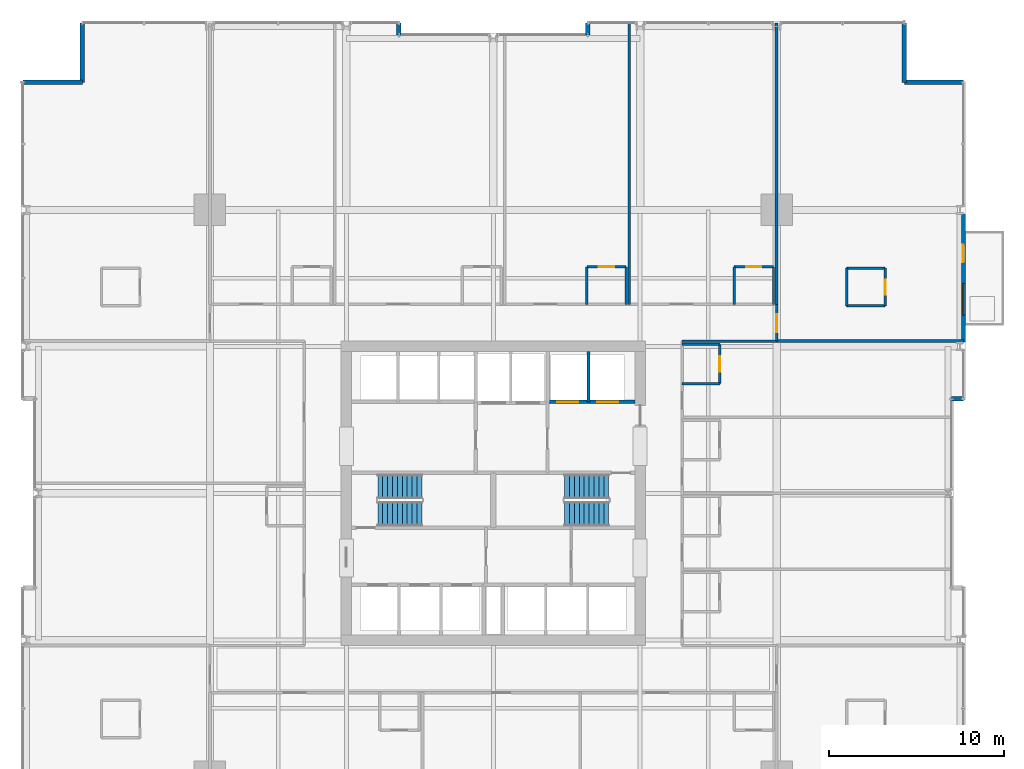
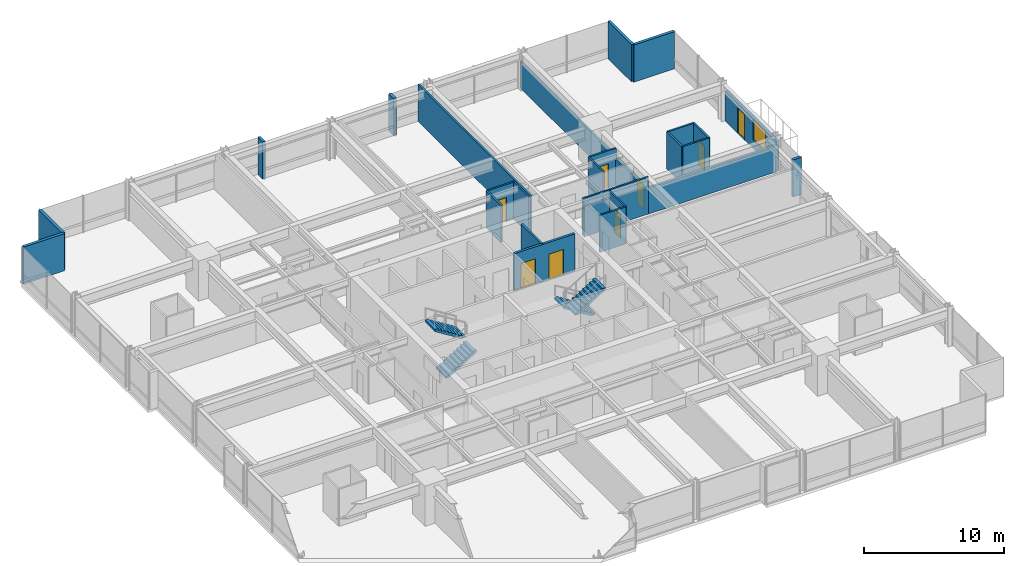
# One storey, part 33 of 38: 28 walls, 8 doors, 4 stair flights, 1 window, 9 openings, 2 elements without a shape of their own.
"""IFC4 building model written with IfcOpenShell, lengths in metres."""

from ifc_helpers import new_model, si_unit, direction, frame, frame_2d, origin, place, context, subcontext, project, spatial, polyline, rectangle, outline, extrude, material, layer, layer_set, type_object, element, fill, aggregate, save


model = new_model("IFC4")

# Units and contexts
model_context = context("Model", 3, precision=1e-05, world=origin(), true_north=direction((0.0, 1.0)))
body_context = subcontext(model_context, "Body", "Model", "MODEL_VIEW")
ifc_project = project(units=[si_unit("LENGTHUNIT", "METRE"), si_unit("AREAUNIT", "SQUARE_METRE"), si_unit("VOLUMEUNIT", "CUBIC_METRE"), si_unit("PLANEANGLEUNIT", "RADIAN"), si_unit("MASSUNIT", "GRAM", prefix="KILO")], contexts=[model_context])

# Site, building, storey
site_placement = place(None, origin())
site = spatial("IfcSite", under=ifc_project, at=site_placement, CompositionType="ELEMENT")
building_placement = place(site_placement, origin())
building = spatial("IfcBuilding", under=site, at=building_placement, Name="Drelvath Grand Hotel", CompositionType="ELEMENT")
storey_placement = place(building_placement, frame((0.0, 0.0, 47.199951171875)))
storey = spatial("IfcBuildingStorey", under=building, at=storey_placement, Name="L10", CompositionType="ELEMENT", Elevation=47.199951171875)

# Wall, openings, doors
ifc_material_1 = material(Name="Concrete C40/50", Category="concrete")
ifc_layer_1 = layer(ifc_material_1, 0.199951171875)
ifc_layer_set_1 = layer_set([ifc_layer_1], Name="Concrete C40/50")
wall_type_1 = type_object("IfcWallType", Name="Core Hoistway Fire Wall 200", PredefinedType="SOLIDWALL", material=ifc_layer_set_1)
wall_1_placement = place(storey_placement, frame((3.10009765625, 32.219970703125, 0.0), z_axis=(0.0, 0.0, 1.0), x_axis=(1.0, 0.0, 0.0)))
wall_1 = element("IfcWall", 1, at=wall_1_placement, inside=storey, type_object=wall_type_1, Name="L10 FSAE Hoistway Front Wall", PredefinedType="SOLIDWALL", context=body_context, shape_type="SweptSolid", body=[
    extrude(rectangle(XDim=5.0, YDim=0.199951171875, at=frame_2d((2.5, 0.0))), origin(), (0.0, 0.0, 1.0), 3.239990234375),
])
opening_1_placement = place(wall_1_placement, frame((0.550048828125, 0.0, 0.0)))
opening_1 = element("IfcOpeningElement", 2, at=opening_1_placement, cuts=wall_1, Name="Opening LD-FSAE-1", PredefinedType="OPENING", context=body_context, shape_type="SweptSolid", body=[
    extrude(rectangle(XDim=1.199951171875, YDim=2.199951171875, at=frame_2d((0.60009765625, 1.10009765625))), frame((0.0, 0.10986328125, 0.0), z_axis=(0.0, -1.0, 0.0), x_axis=(1.0, 0.0, 0.0)), (0.0, 0.0, 1.0), 0.219970703125),
])
opening_2_placement = place(wall_1_placement, frame((2.85009765625, 0.0, 0.0)))
opening_2 = element("IfcOpeningElement", 3, at=opening_2_placement, cuts=wall_1, Name="Opening LD-FSAE-2", PredefinedType="OPENING", context=body_context, shape_type="SweptSolid", body=[
    extrude(rectangle(XDim=1.199951171875, YDim=2.199951171875, at=frame_2d((0.60009765625, 1.10009765625))), frame((0.0, 0.10986328125, 0.0), z_axis=(0.0, -1.0, 0.0), x_axis=(1.0, 0.0, 0.0)), (0.0, 0.0, 1.0), 0.219970703125),
])
ifc_material_2 = material(Name="Stainless Steel S355", Category="steel")
door_type_1 = type_object("IfcDoorType", Name="FSAE Lift Sliding Landing Door 1200x2200", OperationType="NOTDEFINED", PredefinedType="DOOR", material=ifc_material_2)
door_1_placement = place(opening_1_placement, origin())
door_1 = element("IfcDoor", 4, at=door_1_placement, inside=storey, type_object=door_type_1, Name="L10 Lift FSAE-1 Landing Door", OperationType="SLIDING_TO_LEFT", OverallHeight=2.199951171875, OverallWidth=1.199951171875, PredefinedType="DOOR", context=body_context, shape_type="SweptSolid", body=[
    extrude(rectangle(XDim=1.199951171875, YDim=2.199951171875, at=frame_2d((0.60009765625, 1.10009765625))), frame((0.0, 0.02490234375, 0.0), z_axis=(0.0, -1.0, 0.0), x_axis=(1.0, 0.0, 0.0)), (0.0, 0.0, 1.0), 0.050048828125),
])
fill(opening_1, door_1)
door_2_placement = place(opening_2_placement, origin())
door_2 = element("IfcDoor", 5, at=door_2_placement, inside=storey, type_object=door_type_1, Name="L10 Lift FSAE-2 Landing Door", OperationType="SLIDING_TO_LEFT", OverallHeight=2.199951171875, OverallWidth=1.199951171875, PredefinedType="DOOR", context=body_context, shape_type="SweptSolid", body=[
    extrude(rectangle(XDim=1.199951171875, YDim=2.199951171875, at=frame_2d((0.60009765625, 1.10009765625))), frame((0.0, 0.02490234375, 0.0), z_axis=(0.0, -1.0, 0.0), x_axis=(1.0, 0.0, 0.0)), (0.0, 0.0, 1.0), 0.050048828125),
])
fill(opening_2, door_2)

# Walls
ifc_material_3 = material(Name="Gypsum Fireboard Partition")
ifc_layer_2 = layer(ifc_material_3, 0.1650390625)
ifc_layer_set_2 = layer_set([ifc_layer_2], Name="Gypsum Fireboard Partition")
wall_type_2 = type_object("IfcWallType", Name="Core Shaft Partition 165", PredefinedType="PARTITIONING", material=ifc_layer_set_2)
wall_2_placement = place(storey_placement, frame((5.449951171875, 32.219970703125, 0.0), z_axis=(0.0, 0.0, 1.0), x_axis=(0.0, 1.0, 0.0)))
element("IfcWall", 6, at=wall_2_placement, inside=storey, type_object=wall_type_2, Name="L10 FSAE Hoistway Divider", PredefinedType="PARTITIONING", context=body_context, shape_type="SweptSolid", body=[
    extrude(rectangle(XDim=2.880126953125, YDim=0.1650390625, at=frame_2d((1.43994140625, 0.0))), origin(), (0.0, 0.0, 1.0), 3.239990234375),
])
ifc_layer_3 = layer(ifc_material_3, 0.135009765625)
ifc_layer_set_3 = layer_set([ifc_layer_3], Name="Gypsum Fireboard Partition")
wall_type_3 = type_object("IfcWallType", Name="Corridor Fire Barrier Wall 135", PredefinedType="PARTITIONING", material=ifc_layer_set_3)
wall_3_placement = place(storey_placement, frame((10.800048828125, 35.699951171875, 0.0), z_axis=(0.0, 0.0, 1.0), x_axis=(1.0, 0.0, 0.0)))
element("IfcWall", 7, at=wall_3_placement, inside=storey, type_object=wall_type_3, Name="L10 NE Spur Inner Wall", PredefinedType="PARTITIONING", context=body_context, shape_type="SweptSolid", body=[
    extrude(rectangle(XDim=5.39990234375, YDim=0.135009765625, at=frame_2d((2.699951171875, 0.0))), origin(), (0.0, 0.0, 1.0), 3.239990234375),
])

# Wall, opening, door
wall_4_placement = place(storey_placement, frame((16.199951171875, 35.699951171875, 0.0), z_axis=(0.0, 0.0, 1.0), x_axis=(0.0, 1.0, 0.0)))
wall_4 = element("IfcWall", 8, at=wall_4_placement, inside=storey, type_object=wall_type_3, Name="L10 North Corridor East End", PredefinedType="PARTITIONING", context=body_context, shape_type="SweptSolid", body=[
    extrude(rectangle(XDim=2.10009765625, YDim=0.135009765625, at=frame_2d((1.050048828125, 0.0))), origin(), (0.0, 0.0, 1.0), 2.29833984375),
])
opening_3_placement = place(wall_4_placement, frame((0.52001953125, 0.0, 0.0)))
opening_3 = element("IfcOpeningElement", 9, at=opening_3_placement, cuts=wall_4, Name="Opening D-T1G2-023", PredefinedType="OPENING", context=body_context, shape_type="SweptSolid", body=[
    extrude(rectangle(XDim=1.02001953125, YDim=2.14990234375, at=frame_2d((0.510009765625, 1.074951171875))), frame((0.0, 0.077392578125, 0.0), z_axis=(0.0, -1.0, 0.0), x_axis=(1.0, 0.0, 0.0)), (0.0, 0.0, 1.0), 0.155029296875),
])
ifc_material_4 = material(Name="Hardwood Walnut Timber", Category="wood")
door_type_2 = type_object("IfcDoorType", Name="Amenity Meeting Fire Door 1020x2150", OperationType="NOTDEFINED", PredefinedType="DOOR", material=ifc_material_4)
door_3_placement = place(opening_3_placement, origin())
door_3 = element("IfcDoor", 10, at=door_3_placement, inside=storey, type_object=door_type_2, Name="L10 Corner Suite Entry Door", OperationType="SINGLE_SWING_RIGHT", OverallHeight=2.14990234375, OverallWidth=1.02001953125, PredefinedType="DOOR", context=body_context, shape_type="SweptSolid", body=[
    extrude(rectangle(XDim=1.02001953125, YDim=2.14990234375, at=frame_2d((0.510009765625, 1.074951171875))), frame((0.0, 0.02490234375, 0.0), z_axis=(0.0, -1.0, 0.0), x_axis=(1.0, 0.0, 0.0)), (0.0, 0.0, 1.0), 0.050048828125),
])
fill(opening_3, door_3)

# Walls
ifc_material_5 = material(Name="Moisture-Resistant Gypsum Board")
ifc_layer_4 = layer(ifc_material_5, 0.139892578125)
ifc_layer_set_4 = layer_set([ifc_layer_4], Name="Moisture-Resistant Gypsum Board")
wall_type_4 = type_object("IfcWallType", Name="En-Suite Plumbing Wall 140", PredefinedType="PLUMBINGWALL", material=ifc_layer_set_4)
for number, where, z_axis, x_axis, name in (
    (11, (20.199951171875, 37.719970703125, 0.0), (0.0, 0.0, 1.0), (1.0, 0.0, 0.0), "L10 Corner En-Suite South"),
    (12, (20.199951171875, 39.8701171875, 0.0), (0.0, 0.0, 1.0), (1.0, 0.0, 0.0), "L10 Corner En-Suite North"),
):
    element("IfcWall", number, at=place(storey_placement, frame(where, z_axis=z_axis, x_axis=x_axis)), inside=storey, type_object=wall_type_4, Name=name, PredefinedType="PLUMBINGWALL", context=body_context, shape_type="SweptSolid", body=[
        extrude(rectangle(XDim=2.199951171875, YDim=0.139892578125, at=frame_2d((1.10009765625, 0.0))), origin(), (0.0, 0.0, 1.0), 3.239990234375),
    ])
wall_5_placement = place(storey_placement, frame((20.199951171875, 37.719970703125, 0.0), z_axis=(0.0, 0.0, 1.0), x_axis=(0.0, 1.0, 0.0)))
element("IfcWall", 13, at=wall_5_placement, inside=storey, type_object=wall_type_4, Name="L10 Corner En-Suite West", PredefinedType="PLUMBINGWALL", context=body_context, shape_type="SweptSolid", body=[
    extrude(rectangle(XDim=2.150146484375, YDim=0.139892578125, at=frame_2d((1.0751953125, 0.0))), origin(), (0.0, 0.0, 1.0), 3.239990234375),
])

# Wall, opening, door
wall_6_placement = place(storey_placement, frame((22.39990234375, 37.719970703125, 0.0), z_axis=(0.0, 0.0, 1.0), x_axis=(0.0, 1.0, 0.0)))
wall_6 = element("IfcWall", 14, at=wall_6_placement, inside=storey, type_object=wall_type_4, Name="L10 Corner En-Suite East", PredefinedType="PLUMBINGWALL", context=body_context, shape_type="SweptSolid", body=[
    extrude(rectangle(XDim=2.150146484375, YDim=0.139892578125, at=frame_2d((1.0751953125, 0.0))), origin(), (0.0, 0.0, 1.0), 3.239990234375),
])
opening_4_placement = place(wall_6_placement, frame((0.6201171875, 0.0, 0.0)))
opening_4 = element("IfcOpeningElement", 15, at=opening_4_placement, cuts=wall_6, Name="Opening D-T1G2-022", PredefinedType="OPENING", context=body_context, shape_type="SweptSolid", body=[
    extrude(rectangle(XDim=0.8798828125, YDim=2.10009765625, at=frame_2d((0.43994140625, 1.050048828125))), frame((0.0, 0.079833984375, 0.0), z_axis=(0.0, -1.0, 0.0), x_axis=(1.0, 0.0, 0.0)), (0.0, 0.0, 1.0), 0.159912109375),
])
door_type_3 = type_object("IfcDoorType", Name="En-Suite Bathroom Door 880x2100", OperationType="NOTDEFINED", PredefinedType="DOOR", material=ifc_material_4)
door_4_placement = place(opening_4_placement, origin())
door_4 = element("IfcDoor", 16, at=door_4_placement, inside=storey, type_object=door_type_3, Name="L10 Corner En-Suite Door", OperationType="SINGLE_SWING_LEFT", OverallHeight=2.10009765625, OverallWidth=0.8798828125, PredefinedType="DOOR", context=body_context, shape_type="SweptSolid", body=[
    extrude(rectangle(XDim=0.8798828125, YDim=2.10009765625, at=frame_2d((0.43994140625, 1.050048828125))), frame((0.0, 0.02490234375, 0.0), z_axis=(0.0, -1.0, 0.0), x_axis=(1.0, 0.0, 0.0)), (0.0, 0.0, 1.0), 0.050048828125),
])
fill(opening_4, door_4)

# Walls
for number, where, z_axis, x_axis, name in (
    (17, (5.345947265625, 37.800048828125, 0.0), (0.0, 0.0, 1.0), (0.0, 1.0, 0.0), "L10 En-Suite Left Wall"),
    (18, (7.595947265625, 37.800048828125, 0.0), (0.0, 0.0, 1.0), (0.0, 1.0, 0.0), "L10 En-Suite Right Wall"),
):
    element("IfcWall", number, at=place(storey_placement, frame(where, z_axis=z_axis, x_axis=x_axis)), inside=storey, type_object=wall_type_4, Name=name, PredefinedType="PLUMBINGWALL", context=body_context, shape_type="SweptSolid", body=[
        extrude(rectangle(XDim=2.14990234375, YDim=0.139892578125, at=frame_2d((1.074951171875, 0.0))), origin(), (0.0, 0.0, 1.0), 3.239990234375),
    ])

# Wall, opening, door
wall_7_placement = place(storey_placement, frame((5.345947265625, 39.949951171875, 0.0), z_axis=(0.0, 0.0, 1.0), x_axis=(1.0, 0.0, 0.0)))
wall_7 = element("IfcWall", 19, at=wall_7_placement, inside=storey, type_object=wall_type_4, Name="L10 En-Suite Front Wall", PredefinedType="PLUMBINGWALL", context=body_context, shape_type="SweptSolid", body=[
    extrude(rectangle(XDim=2.25, YDim=0.139892578125, at=frame_2d((1.125, 0.0))), origin(), (0.0, 0.0, 1.0), 3.239990234375),
])
opening_5_placement = place(wall_7_placement, frame((0.68505859375, 0.0, 0.0)))
opening_5 = element("IfcOpeningElement", 20, at=opening_5_placement, cuts=wall_7, Name="Opening D-T1G2-033", PredefinedType="OPENING", context=body_context, shape_type="SweptSolid", body=[
    extrude(rectangle(XDim=0.8798828125, YDim=2.10009765625, at=frame_2d((0.43994140625, 1.050048828125))), frame((0.0, 0.079833984375, 0.0), z_axis=(0.0, -1.0, 0.0), x_axis=(1.0, 0.0, 0.0)), (0.0, 0.0, 1.0), 0.159912109375),
])
door_5_placement = place(opening_5_placement, origin())
door_5 = element("IfcDoor", 21, at=door_5_placement, inside=storey, type_object=door_type_3, Name="L10 En-Suite Bathroom Door", OperationType="SINGLE_SWING_RIGHT", OverallHeight=2.10009765625, OverallWidth=0.8798828125, PredefinedType="DOOR", context=body_context, shape_type="SweptSolid", body=[
    extrude(rectangle(XDim=0.8798828125, YDim=2.10009765625, at=frame_2d((0.43994140625, 1.050048828125))), frame((0.0, 0.02490234375, 0.0), z_axis=(0.0, -1.0, 0.0), x_axis=(1.0, 0.0, 0.0)), (0.0, 0.0, 1.0), 0.050048828125),
])
fill(opening_5, door_5)

# Walls
wall_8_placement = place(storey_placement, frame((13.77001953125, 37.800048828125, 0.0), z_axis=(0.0, 0.0, 1.0), x_axis=(0.0, 1.0, 0.0)))
element("IfcWall", 22, at=wall_8_placement, inside=storey, type_object=wall_type_4, Name="L10 En-Suite Left Wall", PredefinedType="PLUMBINGWALL", context=body_context, shape_type="SweptSolid", body=[
    extrude(rectangle(XDim=2.14990234375, YDim=0.139892578125, at=frame_2d((1.074951171875, 0.0))), origin(), (0.0, 0.0, 1.0), 3.239990234375),
])
wall_9_placement = place(storey_placement, frame((16.02001953125, 37.800048828125, 0.0), z_axis=(0.0, 0.0, 1.0), x_axis=(0.0, 1.0, 0.0)))
element("IfcWall", 23, at=wall_9_placement, inside=storey, type_object=wall_type_4, Name="L10 En-Suite Right Wall", PredefinedType="PLUMBINGWALL", context=body_context, shape_type="SweptSolid", body=[
    extrude(rectangle(XDim=2.14990234375, YDim=0.139892578125, at=frame_2d((1.074951171875, 0.0))), origin(), (0.0, 0.0, 1.0), 2.29833984375),
])

# Wall, opening, door
wall_10_placement = place(storey_placement, frame((13.77001953125, 39.949951171875, 0.0), z_axis=(0.0, 0.0, 1.0), x_axis=(1.0, 0.0, 0.0)))
wall_10 = element("IfcWall", 24, at=wall_10_placement, inside=storey, type_object=wall_type_4, Name="L10 En-Suite Front Wall", PredefinedType="PLUMBINGWALL", context=body_context, shape_type="SweptSolid", body=[
    extrude(rectangle(XDim=2.25, YDim=0.139892578125, at=frame_2d((1.125, 0.0))), origin(), (0.0, 0.0, 1.0), 3.239990234375),
])
opening_6_placement = place(wall_10_placement, frame((0.68505859375, 0.0, 0.0)))
opening_6 = element("IfcOpeningElement", 25, at=opening_6_placement, cuts=wall_10, Name="Opening D-T1G2-035", PredefinedType="OPENING", context=body_context, shape_type="SweptSolid", body=[
    extrude(rectangle(XDim=0.8798828125, YDim=2.10009765625, at=frame_2d((0.43994140625, 1.050048828125))), frame((0.0, 0.079833984375, 0.0), z_axis=(0.0, -1.0, 0.0), x_axis=(1.0, 0.0, 0.0)), (0.0, 0.0, 1.0), 0.159912109375),
])
door_6_placement = place(opening_6_placement, origin())
door_6 = element("IfcDoor", 26, at=door_6_placement, inside=storey, type_object=door_type_3, Name="L10 En-Suite Bathroom Door", OperationType="SINGLE_SWING_RIGHT", OverallHeight=2.10009765625, OverallWidth=0.8798828125, PredefinedType="DOOR", context=body_context, shape_type="SweptSolid", body=[
    extrude(rectangle(XDim=0.8798828125, YDim=2.10009765625, at=frame_2d((0.43994140625, 1.050048828125))), frame((0.0, 0.02490234375, 0.0), z_axis=(0.0, -1.0, 0.0), x_axis=(1.0, 0.0, 0.0)), (0.0, 0.0, 1.0), 0.050048828125),
])
fill(opening_6, door_6)

# Walls
wall_11_placement = place(storey_placement, frame((10.800048828125, 33.27001953125, 0.0), z_axis=(0.0, 0.0, 1.0), x_axis=(1.0, 0.0, 0.0)))
element("IfcWall", 27, at=wall_11_placement, inside=storey, type_object=wall_type_4, Name="L10 En-Suite Left Wall", PredefinedType="PLUMBINGWALL", context=body_context, shape_type="SweptSolid", body=[
    extrude(rectangle(XDim=2.14990234375, YDim=0.139892578125, at=frame_2d((1.074951171875, 0.0))), origin(), (0.0, 0.0, 1.0), 3.239990234375),
])
wall_12_placement = place(storey_placement, frame((10.800048828125, 35.52001953125, 0.0), z_axis=(0.0, 0.0, 1.0), x_axis=(1.0, 0.0, 0.0)))
element("IfcWall", 28, at=wall_12_placement, inside=storey, type_object=wall_type_4, Name="L10 En-Suite Right Wall", PredefinedType="PLUMBINGWALL", context=body_context, shape_type="SweptSolid", body=[
    extrude(rectangle(XDim=2.14990234375, YDim=0.139892578125, at=frame_2d((1.074951171875, 0.0))), origin(), (0.0, 0.0, 1.0), 2.617431640625),
])

# Wall, opening, door
wall_13_placement = place(storey_placement, frame((12.949951171875, 33.27001953125, 0.0), z_axis=(0.0, 0.0, 1.0), x_axis=(0.0, 1.0, 0.0)))
wall_13 = element("IfcWall", 29, at=wall_13_placement, inside=storey, type_object=wall_type_4, Name="L10 En-Suite Front Wall", PredefinedType="PLUMBINGWALL", context=body_context, shape_type="SweptSolid", body=[
    extrude(rectangle(XDim=2.25, YDim=0.139892578125, at=frame_2d((1.125, 0.0))), origin(), (0.0, 0.0, 1.0), 3.239990234375),
])
opening_7_placement = place(wall_13_placement, frame((0.68505859375, 0.0, 0.0)))
opening_7 = element("IfcOpeningElement", 30, at=opening_7_placement, cuts=wall_13, Name="Opening D-T1G2-046", PredefinedType="OPENING", context=body_context, shape_type="SweptSolid", body=[
    extrude(rectangle(XDim=0.8798828125, YDim=2.10009765625, at=frame_2d((0.43994140625, 1.050048828125))), frame((0.0, 0.079833984375, 0.0), z_axis=(0.0, -1.0, 0.0), x_axis=(1.0, 0.0, 0.0)), (0.0, 0.0, 1.0), 0.159912109375),
])
door_7_placement = place(opening_7_placement, origin())
door_7 = element("IfcDoor", 31, at=door_7_placement, inside=storey, type_object=door_type_3, Name="L10 En-Suite Bathroom Door", OperationType="SINGLE_SWING_LEFT", OverallHeight=2.10009765625, OverallWidth=0.8798828125, PredefinedType="DOOR", context=body_context, shape_type="SweptSolid", body=[
    extrude(rectangle(XDim=0.8798828125, YDim=2.10009765625, at=frame_2d((0.43994140625, 1.050048828125))), frame((0.0, 0.02490234375, 0.0), z_axis=(0.0, -1.0, 0.0), x_axis=(1.0, 0.0, 0.0)), (0.0, 0.0, 1.0), 0.050048828125),
])
fill(opening_7, door_7)

# Walls
ifc_material_6 = material(Name="Gypsum Acoustic Partition")
ifc_layer_5 = layer(ifc_material_6, 0.14990234375)
ifc_layer_set_5 = layer_set([ifc_layer_5], Name="Gypsum Acoustic Partition")
wall_type_5 = type_object("IfcWallType", Name="Guestroom Demising Wall 150", PredefinedType="PARTITIONING", material=ifc_layer_set_5)
wall_14_placement = place(storey_placement, frame((7.77587890625, 37.800048828125, 0.0), z_axis=(0.0, 0.0, 1.0), x_axis=(0.0, 1.0, 0.0)))
element("IfcWall", 32, at=wall_14_placement, inside=storey, type_object=wall_type_5, Name="L10 North Demising 3", PredefinedType="PARTITIONING", context=body_context, shape_type="SweptSolid", body=[
    extrude(rectangle(XDim=16.079833984375, YDim=0.14990234375, at=frame_2d((8.0400390625, 0.0))), origin(), (0.0, 0.0, 1.0), 3.239990234375),
])
ifc_layer_6 = layer(ifc_material_6, 0.1650390625)
ifc_layer_set_6 = layer_set([ifc_layer_6], Name="Gypsum Acoustic Partition")
wall_type_6 = type_object("IfcWallType", Name="Suite Demising Wall 165", PredefinedType="PARTITIONING", material=ifc_layer_set_6)
wall_15_placement = place(storey_placement, frame((16.199951171875, 37.800048828125, 0.0), z_axis=(0.0, 0.0, 1.0), x_axis=(0.0, 1.0, 0.0)))
element("IfcWall", 33, at=wall_15_placement, inside=storey, type_object=wall_type_6, Name="L10 NE Wing Boundary Wall", PredefinedType="PARTITIONING", context=body_context, shape_type="SweptSolid", body=[
    extrude(rectangle(XDim=16.079833984375, YDim=0.1650390625, at=frame_2d((8.0400390625, 0.0))), origin(), (0.0, 0.0, 1.0), 2.29833984375),
])
wall_16_placement = place(storey_placement, frame((16.199951171875, 35.699951171875, 0.0), z_axis=(0.0, 0.0, 1.0), x_axis=(1.0, 0.0, 0.0)))
element("IfcWall", 34, at=wall_16_placement, inside=storey, type_object=wall_type_6, Name="L10 NE Corner South Wall", PredefinedType="PARTITIONING", context=body_context, shape_type="SweptSolid", body=[
    extrude(rectangle(XDim=10.679931640625, YDim=0.1650390625, at=frame_2d((5.33984375, 0.0))), origin(), (0.0, 0.0, 1.0), 2.29833984375),
])

# Wall, openings, window, door
ifc_material_7 = material(Name="Pale-Metal Insulated Aluminium Spandrel Assembly", Category="aluminium")
ifc_layer_7 = layer(ifc_material_7, 0.239990234375)
ifc_layer_set_7 = layer_set([ifc_layer_7], Name="Pale-Metal Insulated Aluminium Spandrel Assembly")
wall_type_7 = type_object("IfcWallType", Name="Tower Insulated Metal Spandrel Closure Wall 240", PredefinedType="STANDARD", material=ifc_layer_set_7)
wall_17_placement = place(storey_placement, frame((26.8798828125, 42.958984375, 0.0), z_axis=(0.0, 0.0, 1.0), x_axis=(0.0, -1.0, 0.0)))
wall_17 = element("IfcWall", 35, at=wall_17_placement, inside=storey, type_object=wall_type_7, Name="L10 Exterior Terrace Door Bay Wall EN2", PredefinedType="STANDARD", context=body_context, shape_type="SweptSolid", body=[
    extrude(rectangle(XDim=7.318115234375, YDim=0.239990234375, at=frame_2d((3.6591796875, 0.0))), origin(), (0.0, 0.0, 1.0), 2.629150390625),
])
opening_8_placement = place(wall_17_placement, frame((1.759033203125, 0.0, 0.0)))
opening_8 = element("IfcOpeningElement", 36, at=opening_8_placement, cuts=wall_17, Name="Opening TD-1000", PredefinedType="OPENING", context=body_context, shape_type="SweptSolid", body=[
    extrude(rectangle(XDim=1.0, YDim=2.199951171875, at=frame_2d((0.5, 1.10009765625))), frame((0.0, 0.1298828125, 0.0), z_axis=(0.0, -1.0, 0.0), x_axis=(1.0, 0.0, 0.0)), (0.0, 0.0, 1.0), 0.260009765625),
])
opening_9_placement = place(wall_17_placement, frame((3.9658203125, 0.0, 0.75)))
opening_9 = element("IfcOpeningElement", 37, at=opening_9_placement, cuts=wall_17, Name="Opening W-02", PredefinedType="OPENING", context=body_context, shape_type="SweptSolid", body=[
    extrude(rectangle(XDim=1.800048828125, YDim=1.779052734375, at=frame_2d((0.89990234375, 0.8896484375))), frame((0.0, 0.1298828125, 0.0), z_axis=(0.0, -1.0, 0.0), x_axis=(1.0, 0.0, 0.0)), (0.0, 0.0, 1.0), 0.260009765625),
])
ifc_material_8 = material(Name="Bronze Anodised Low-E Triple Glazing", Category="glass")
window_type = type_object("IfcWindowType", Name="Chicago Double-Pane Podium Window 1800x2400", PartitioningType="DOUBLE_PANEL_VERTICAL", PredefinedType="WINDOW", material=ifc_material_8)
window_placement = place(opening_9_placement, origin())
window = element("IfcWindow", 38, at=window_placement, inside=storey, type_object=window_type, Name="L10 Terrace Bay Companion Window EN2", OverallHeight=1.779052734375, OverallWidth=1.800048828125, PartitioningType="SINGLE_PANEL", PredefinedType="WINDOW", context=body_context, shape_type="SweptSolid", body=[
    extrude(rectangle(XDim=1.800048828125, YDim=1.779052734375, at=frame_2d((0.89990234375, 0.8896484375))), frame((0.0, 0.030029296875, 0.0), z_axis=(0.0, -1.0, 0.0), x_axis=(1.0, 0.0, 0.0)), (0.0, 0.0, 1.0), 0.06005859375),
])
fill(opening_9, window)
ifc_material_9 = material(Name="Anodised Aluminium Thermally Broken Glazed Door", Category="aluminium")
door_type_4 = type_object("IfcDoorType", Name="Terrace and Tree Balcony Glazed Door 1000x2200", OperationType="NOTDEFINED", PredefinedType="DOOR", material=ifc_material_9)
door_8_placement = place(opening_8_placement, origin())
door_8 = element("IfcDoor", 39, at=door_8_placement, inside=storey, type_object=door_type_4, Name="L10 Tree Balcony Door DOOR-L10-TBAL-1", OperationType="SINGLE_SWING_LEFT", OverallHeight=2.199951171875, OverallWidth=1.0, PredefinedType="DOOR", context=body_context, shape_type="SweptSolid", body=[
    extrude(rectangle(XDim=1.0, YDim=2.199951171875, at=frame_2d((0.5, 1.10009765625))), frame((0.0, 0.02490234375, 0.0), z_axis=(0.0, -1.0, 0.0), x_axis=(1.0, 0.0, 0.0)), (0.0, 0.0, 1.0), 0.050048828125),
])
fill(opening_8, door_8)

# Walls
for number, where, z_axis, x_axis, name in (
    (40, (-26.8798828125, 50.5, 0.0), (0.0, 0.0, 1.0), (1.0, 0.0, 0.0), "L10 Notched Corner Return Spandrel Wall CNW1"),
    (41, (-23.5, 50.5, 0.0), (0.0, 0.0, 1.0), (0.0, 1.0, 0.0), "L10 Notched Corner Return Spandrel Wall CNW2"),
    (42, (23.5, 53.8798828125, 0.0), (0.0, 0.0, 1.0), (0.0, -1.0, 0.0), "L10 Notched Corner Return Spandrel Wall CNE1"),
    (43, (23.5, 50.5, 0.0), (0.0, 0.0, 1.0), (1.0, 0.0, 0.0), "L10 Notched Corner Return Spandrel Wall CNE2"),
):
    element("IfcWall", number, at=place(storey_placement, frame(where, z_axis=z_axis, x_axis=x_axis)), inside=storey, type_object=wall_type_7, Name=name, PredefinedType="STANDARD", context=body_context, shape_type="SweptSolid", body=[
        extrude(rectangle(XDim=3.3798828125, YDim=0.239990234375, at=frame_2d((1.68994140625, 0.0))), origin(), (0.0, 0.0, 1.0), 3.239990234375),
    ])
for number, where, z_axis, x_axis, name in (
    (44, (26.8798828125, 32.39990234375, 0.0), (0.0, 0.0, 1.0), (-1.0, 0.0, 0.0), "L10 Notched Corner Return Spandrel Wall RE1"),
    (45, (-5.39990234375, 53.8798828125, 0.0), (0.0, 0.0, 1.0), (0.0, -1.0, 0.0), "L10 Notched Corner Return Spandrel Wall RN1"),
    (46, (5.39990234375, 53.199951171875, 0.0), (0.0, 0.0, 1.0), (0.0, 1.0, 0.0), "L10 Notched Corner Return Spandrel Wall RN2"),
):
    element("IfcWall", number, at=place(storey_placement, frame(where, z_axis=z_axis, x_axis=x_axis)), inside=storey, type_object=wall_type_7, Name=name, PredefinedType="STANDARD", context=body_context, shape_type="SweptSolid", body=[
        extrude(rectangle(XDim=0.679931640625, YDim=0.239990234375, at=frame_2d((0.33984375, 0.0))), origin(), (0.0, 0.0, 1.0), 3.239990234375),
    ])

# Stair, stair flights
stair_type = type_object("IfcStairType", Name="Dogleg Exit Stair W1400-R175.0", PredefinedType="HALF_TURN_STAIR", material=ifc_material_1)
stair_1_placement = place(storey_placement, origin())
stair_1 = element("IfcStair", 47, at=stair_1_placement, inside=storey, type_object=stair_type, Name="L10 Core Exit Stair ST-1", PredefinedType="HALF_TURN_STAIR")
stair_flight_type = type_object("IfcStairFlightType", Name="Concrete Stair Flight W1400-R175.0", PredefinedType="STRAIGHT", material=ifc_material_1)
stair_flight_1_placement = place(storey_placement, frame((-6.60009765625, 25.820068359375, 0.0), z_axis=(0.0, 0.0, 1.0), x_axis=(1.0, 0.0, 0.0)))
stair_flight_1 = element("IfcStairFlight", 48, at=stair_flight_1_placement, type_object=stair_flight_type, Name="ST-1 flight 1", NumberOfRisers=10, NumberOfTreads=9, PredefinedType="STRAIGHT", RiserHeight=0.175, TreadLength=0.28, context=body_context, shape_type="SweptSolid", body=[
    extrude(outline(polyline([(0.0, 0.0), (0.0, 0.175048828125), (0.280029296875, 0.175048828125), (0.280029296875, 0.35009765625), (0.56005859375, 0.35009765625), (0.56005859375, 0.52490234375), (0.840087890625, 0.52490234375), (0.840087890625, 0.699951171875), (1.1201171875, 0.699951171875), (1.1201171875, 0.875), (1.39990234375, 0.875), (1.39990234375, 1.050048828125), (1.679931640625, 1.050048828125), (1.679931640625, 1.22509765625), (1.9599609375, 1.22509765625), (1.9599609375, 1.39990234375), (2.239990234375, 1.39990234375), (2.239990234375, 1.574951171875), (2.52001953125, 1.574951171875), (2.52001953125, 1.75), (2.52001953125, 1.386474609375), (0.3017578125, 0.0), (0.0, 0.0)])), frame((0.0, 0.699951171875, 0.0), z_axis=(0.0, -1.0, 0.0), x_axis=(1.0, 0.0, 0.0)), (0.0, 0.0, 1.0), 1.39990234375),
])
stair_flight_2_placement = place(storey_placement, frame((-4.080078125, 27.3798828125, 1.75), z_axis=(0.0, 0.0, 1.0), x_axis=(-1.0, 0.0, 0.0)))
stair_flight_2 = element("IfcStairFlight", 49, at=stair_flight_2_placement, type_object=stair_flight_type, Name="ST-1 flight 2", NumberOfRisers=10, NumberOfTreads=9, PredefinedType="STRAIGHT", RiserHeight=0.175, TreadLength=0.28, context=body_context, shape_type="SweptSolid", body=[
    extrude(outline(polyline([(0.0, 0.0), (0.0, 0.175048828125), (0.280029296875, 0.175048828125), (0.280029296875, 0.35009765625), (0.56005859375, 0.35009765625), (0.56005859375, 0.52490234375), (0.840087890625, 0.52490234375), (0.840087890625, 0.699951171875), (1.1201171875, 0.699951171875), (1.1201171875, 0.875), (1.39990234375, 0.875), (1.39990234375, 1.050048828125), (1.679931640625, 1.050048828125), (1.679931640625, 1.22509765625), (1.9599609375, 1.22509765625), (1.9599609375, 1.39990234375), (2.239990234375, 1.39990234375), (2.239990234375, 1.574951171875), (2.52001953125, 1.574951171875), (2.52001953125, 1.75), (2.52001953125, 1.386474609375), (0.3017578125, 0.0), (0.0, 0.0)])), frame((0.0, 0.699951171875, 0.0), z_axis=(0.0, -1.0, 0.0), x_axis=(1.0, 0.0, 0.0)), (0.0, 0.0, 1.0), 1.39990234375),
])
aggregate(stair_1, [stair_flight_1, stair_flight_2])

stair_2_placement = place(storey_placement, origin())
stair_2 = element("IfcStair", 50, at=stair_2_placement, inside=storey, type_object=stair_type, Name="L10 Core Exit Stair ST-2", PredefinedType="HALF_TURN_STAIR")
stair_flight_3_placement = place(storey_placement, frame((6.60009765625, 27.3798828125, 0.0), z_axis=(0.0, 0.0, 1.0), x_axis=(-1.0, 0.0, 0.0)))
stair_flight_3 = element("IfcStairFlight", 51, at=stair_flight_3_placement, type_object=stair_flight_type, Name="ST-2 flight 1", NumberOfRisers=10, NumberOfTreads=9, PredefinedType="STRAIGHT", RiserHeight=0.175, TreadLength=0.28, context=body_context, shape_type="SweptSolid", body=[
    extrude(outline(polyline([(0.0, 0.0), (0.0, 0.175048828125), (0.280029296875, 0.175048828125), (0.280029296875, 0.35009765625), (0.56005859375, 0.35009765625), (0.56005859375, 0.52490234375), (0.840087890625, 0.52490234375), (0.840087890625, 0.699951171875), (1.1201171875, 0.699951171875), (1.1201171875, 0.875), (1.39990234375, 0.875), (1.39990234375, 1.050048828125), (1.679931640625, 1.050048828125), (1.679931640625, 1.22509765625), (1.9599609375, 1.22509765625), (1.9599609375, 1.39990234375), (2.239990234375, 1.39990234375), (2.239990234375, 1.574951171875), (2.52001953125, 1.574951171875), (2.52001953125, 1.75), (2.52001953125, 1.386474609375), (0.3017578125, 0.0), (0.0, 0.0)])), frame((0.0, 0.699951171875, 0.0), z_axis=(0.0, -1.0, 0.0), x_axis=(1.0, 0.0, 0.0)), (0.0, 0.0, 1.0), 1.39990234375),
])
stair_flight_4_placement = place(storey_placement, frame((4.080078125, 25.820068359375, 1.75), z_axis=(0.0, 0.0, 1.0), x_axis=(1.0, 0.0, 0.0)))
stair_flight_4 = element("IfcStairFlight", 52, at=stair_flight_4_placement, type_object=stair_flight_type, Name="ST-2 flight 2", NumberOfRisers=10, NumberOfTreads=9, PredefinedType="STRAIGHT", RiserHeight=0.175, TreadLength=0.28, context=body_context, shape_type="SweptSolid", body=[
    extrude(outline(polyline([(0.0, 0.0), (0.0, 0.175048828125), (0.280029296875, 0.175048828125), (0.280029296875, 0.35009765625), (0.56005859375, 0.35009765625), (0.56005859375, 0.52490234375), (0.840087890625, 0.52490234375), (0.840087890625, 0.699951171875), (1.1201171875, 0.699951171875), (1.1201171875, 0.875), (1.39990234375, 0.875), (1.39990234375, 1.050048828125), (1.679931640625, 1.050048828125), (1.679931640625, 1.22509765625), (1.9599609375, 1.22509765625), (1.9599609375, 1.39990234375), (2.239990234375, 1.39990234375), (2.239990234375, 1.574951171875), (2.52001953125, 1.574951171875), (2.52001953125, 1.75), (2.52001953125, 1.386474609375), (0.3017578125, 0.0), (0.0, 0.0)])), frame((0.0, 0.699951171875, 0.0), z_axis=(0.0, -1.0, 0.0), x_axis=(1.0, 0.0, 0.0)), (0.0, 0.0, 1.0), 1.39990234375),
])
aggregate(stair_2, [stair_flight_3, stair_flight_4])

save(model, "model.ifc")
